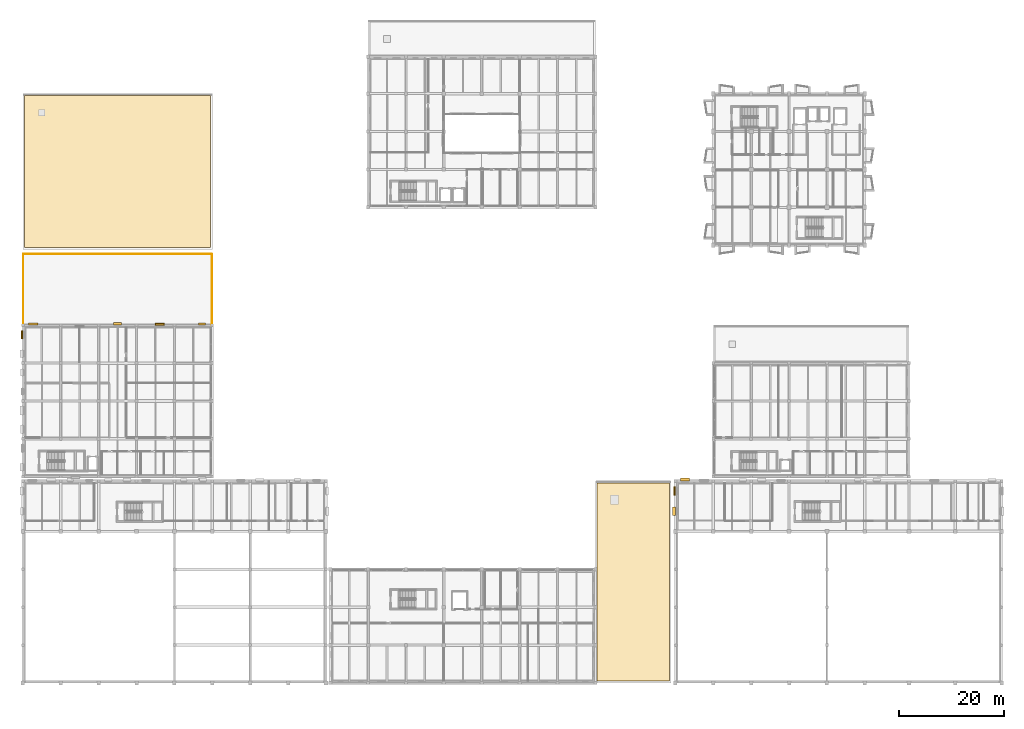
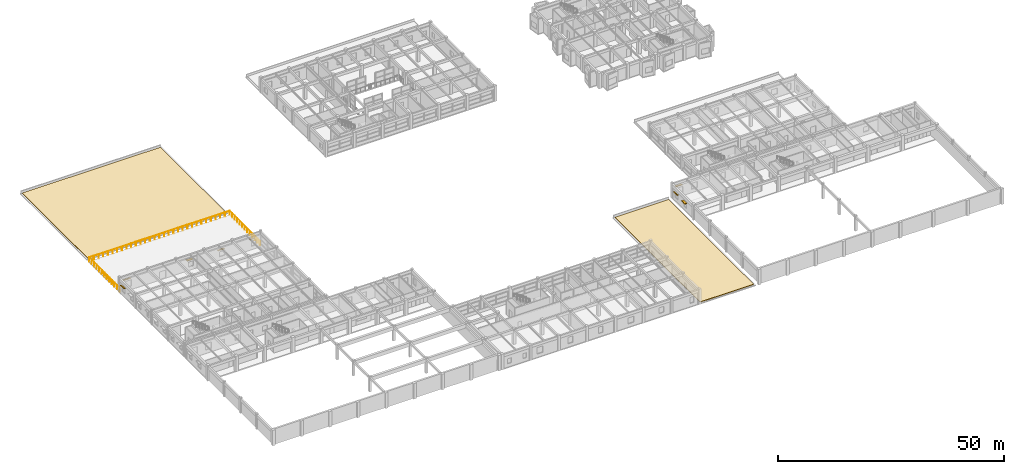
# One storey, part 62 of 67: 8 shading devices, 3 railings, 2 coverings.
"""IFC4 building model written with IfcOpenShell, lengths in metres."""

from ifc_helpers import new_model, si_unit, direction, frame, origin, origin_2d, place, context, subcontext, project, spatial, polyline, rectangle, circle, outline, extrude, material, layer, layer_set, type_object, element, save


model = new_model("IFC4")

# Units and contexts
model_context = context("Model", 3, precision=1e-05, world=origin(), true_north=direction((0.0, 1.0)))
body_context = subcontext(model_context, "Body", "Model", "MODEL_VIEW")
ifc_project = project(units=[si_unit("LENGTHUNIT", "METRE"), si_unit("AREAUNIT", "SQUARE_METRE"), si_unit("VOLUMEUNIT", "CUBIC_METRE"), si_unit("PLANEANGLEUNIT", "RADIAN"), si_unit("MASSUNIT", "GRAM", prefix="KILO")], contexts=[model_context])

# Site, building, storey
site_placement = place(None, origin())
site = spatial("IfcSite", under=ifc_project, at=site_placement, CompositionType="ELEMENT")
building_placement = place(site_placement, origin())
building = spatial("IfcBuilding", under=site, at=building_placement, Name="Bramveld Media Centre", CompositionType="ELEMENT")
storey_placement = place(building_placement, frame((0.0, 0.0, 5.39990234375)))
storey = spatial("IfcBuildingStorey", under=building, at=storey_placement, Name="L01", CompositionType="ELEMENT", Elevation=5.39990234375)

# Coverings
ifc_material_1 = material(Name="Vegetated extensive green-roof substrate and EPDM membrane")
ifc_layer = layer(ifc_material_1, 0.139892578125)
ifc_layer_set = layer_set([ifc_layer], Name="Vegetated extensive green-roof substrate and EPDM membrane")
covering_type = type_object("IfcCoveringType", Name="COV-ROOF-GREEN", PredefinedType="ROOFING", material=ifc_layer_set)
covering_1_placement = place(storey_placement, origin())
element("IfcCovering", 1, at=covering_1_placement, inside=storey, type_object=covering_type, Name="V5 L01 vegetated green roof covering", PredefinedType="ROOFING", context=body_context, shape_type="SweptSolid", body=[
    extrude(outline(polyline([(109.14990234375, 0.35009765625), (122.85009765625, 0.35009765625), (122.85009765625, 38.050048828125), (109.14990234375, 38.050048828125), (109.14990234375, 0.35009765625)])), origin(), (0.0, 0.0, 1.0), 0.14013671875),
])
covering_2_placement = place(storey_placement, origin())
element("IfcCovering", 2, at=covering_2_placement, inside=storey, type_object=covering_type, Name="V3 L01 vegetated green roof covering", PredefinedType="ROOFING", context=body_context, shape_type="SweptSolid", body=[
    extrude(outline(polyline([(0.35009765625, 82.75), (35.64990234375, 82.75), (35.64990234375, 111.64990234375), (0.35009765625, 111.64990234375), (0.35009765625, 82.75)])), origin(), (0.0, 0.0, 1.0), 0.14013671875),
])

# Railings
ifc_material_2 = material(Name="Powder-coated bronze galvanized steel balustrade", Category="steel")
railing_type = type_object("IfcRailingType", Name="RAIL-TERRACE-1150", PredefinedType="GUARDRAIL", material=ifc_material_2)
railing_1_placement = place(storey_placement, frame((0.080078125, 81.52001953125, 0.0)))
element("IfcRailing", 3, at=railing_1_placement, inside=storey, type_object=railing_type, Name="Park Colonnade Upper Loggia Deck W guardrail", PredefinedType="GUARDRAIL", context=body_context, shape_type="SweptSolid", body=[
    extrude(circle(Radius=0.02392578125, at=origin_2d()), frame((0.0, 0.0, 1.1259765625), z_axis=(0.0, -1.0, 0.0), x_axis=(1.0, 0.0, 0.0)), (0.0, 0.0, 1.0), 13.43994140625),
    extrude(circle(Radius=0.02099609375, at=origin_2d()), origin(), (0.0, 0.0, 1.0), 1.101806640625),
    extrude(circle(Radius=0.02099609375, at=origin_2d()), frame((0.0, -1.1201171875, 0.0)), (0.0, 0.0, 1.0), 1.101806640625),
    extrude(circle(Radius=0.02099609375, at=origin_2d()), frame((0.0, -2.239990234375, 0.0)), (0.0, 0.0, 1.0), 1.101806640625),
    extrude(circle(Radius=0.02099609375, at=origin_2d()), frame((0.0, -3.35986328125, 0.0)), (0.0, 0.0, 1.0), 1.101806640625),
    extrude(circle(Radius=0.02099609375, at=origin_2d()), frame((0.0, -4.47998046875, 0.0)), (0.0, 0.0, 1.0), 1.101806640625),
    extrude(circle(Radius=0.02099609375, at=origin_2d()), frame((0.0, -5.60009765625, 0.0)), (0.0, 0.0, 1.0), 1.101806640625),
    extrude(circle(Radius=0.02099609375, at=origin_2d()), frame((0.0, -6.719970703125, 0.0)), (0.0, 0.0, 1.0), 1.101806640625),
    extrude(circle(Radius=0.02099609375, at=origin_2d()), frame((0.0, -7.840087890625, 0.0)), (0.0, 0.0, 1.0), 1.101806640625),
    extrude(circle(Radius=0.02099609375, at=origin_2d()), frame((0.0, -8.9599609375, 0.0)), (0.0, 0.0, 1.0), 1.101806640625),
    extrude(circle(Radius=0.02099609375, at=origin_2d()), frame((0.0, -10.080078125, 0.0)), (0.0, 0.0, 1.0), 1.101806640625),
    extrude(circle(Radius=0.02099609375, at=origin_2d()), frame((0.0, -11.199951171875, 0.0)), (0.0, 0.0, 1.0), 1.101806640625),
    extrude(circle(Radius=0.02099609375, at=origin_2d()), frame((0.0, -12.31982421875, 0.0)), (0.0, 0.0, 1.0), 1.101806640625),
    extrude(circle(Radius=0.02099609375, at=origin_2d()), frame((0.0, -13.43994140625, 0.0)), (0.0, 0.0, 1.0), 1.101806640625),
])
railing_2_placement = place(storey_placement, frame((35.919921875, 81.52001953125, 0.0)))
element("IfcRailing", 4, at=railing_2_placement, inside=storey, type_object=railing_type, Name="Park Colonnade Upper Loggia Deck N guardrail", PredefinedType="GUARDRAIL", context=body_context, shape_type="SweptSolid", body=[
    extrude(circle(Radius=0.02392578125, at=origin_2d()), frame((0.0, 0.0, 1.1259765625), z_axis=(-1.0, 0.0, 0.0), x_axis=(0.0, -1.0, 0.0)), (0.0, 0.0, 1.0), 35.83984375),
    extrude(circle(Radius=0.02099609375, at=origin_2d()), origin(), (0.0, 0.0, 1.0), 1.101806640625),
    extrude(circle(Radius=0.02099609375, at=origin_2d()), frame((-1.194580078125, 0.0, 0.0)), (0.0, 0.0, 1.0), 1.101806640625),
    extrude(circle(Radius=0.02099609375, at=origin_2d()), frame((-2.389404296875, 0.0, 0.0)), (0.0, 0.0, 1.0), 1.101806640625),
    extrude(circle(Radius=0.02099609375, at=origin_2d()), frame((-3.583984375, 0.0, 0.0)), (0.0, 0.0, 1.0), 1.101806640625),
    extrude(circle(Radius=0.02099609375, at=origin_2d()), frame((-4.778564453125, 0.0, 0.0)), (0.0, 0.0, 1.0), 1.101806640625),
    extrude(circle(Radius=0.02099609375, at=origin_2d()), frame((-5.973388671875, 0.0, 0.0)), (0.0, 0.0, 1.0), 1.101806640625),
    extrude(circle(Radius=0.02099609375, at=origin_2d()), frame((-7.16796875, 0.0, 0.0)), (0.0, 0.0, 1.0), 1.101806640625),
    extrude(circle(Radius=0.02099609375, at=origin_2d()), frame((-8.362548828125, 0.0, 0.0)), (0.0, 0.0, 1.0), 1.101806640625),
    extrude(circle(Radius=0.02099609375, at=origin_2d()), frame((-9.557373046875, 0.0, 0.0)), (0.0, 0.0, 1.0), 1.101806640625),
    extrude(circle(Radius=0.02099609375, at=origin_2d()), frame((-10.751953125, 0.0, 0.0)), (0.0, 0.0, 1.0), 1.101806640625),
    extrude(circle(Radius=0.02099609375, at=origin_2d()), frame((-11.946533203125, 0.0, 0.0)), (0.0, 0.0, 1.0), 1.101806640625),
    extrude(circle(Radius=0.02099609375, at=origin_2d()), frame((-13.141357421875, 0.0, 0.0)), (0.0, 0.0, 1.0), 1.101806640625),
    extrude(circle(Radius=0.02099609375, at=origin_2d()), frame((-14.3359375, 0.0, 0.0)), (0.0, 0.0, 1.0), 1.101806640625),
    extrude(circle(Radius=0.02099609375, at=origin_2d()), frame((-15.530517578125, 0.0, 0.0)), (0.0, 0.0, 1.0), 1.101806640625),
    extrude(circle(Radius=0.02099609375, at=origin_2d()), frame((-16.725341796875, 0.0, 0.0)), (0.0, 0.0, 1.0), 1.101806640625),
    extrude(circle(Radius=0.02099609375, at=origin_2d()), frame((-17.919921875, 0.0, 0.0)), (0.0, 0.0, 1.0), 1.101806640625),
    extrude(circle(Radius=0.02099609375, at=origin_2d()), frame((-19.114501953125, 0.0, 0.0)), (0.0, 0.0, 1.0), 1.101806640625),
    extrude(circle(Radius=0.02099609375, at=origin_2d()), frame((-20.309326171875, 0.0, 0.0)), (0.0, 0.0, 1.0), 1.101806640625),
    extrude(circle(Radius=0.02099609375, at=origin_2d()), frame((-21.50390625, 0.0, 0.0)), (0.0, 0.0, 1.0), 1.101806640625),
    extrude(circle(Radius=0.02099609375, at=origin_2d()), frame((-22.698486328125, 0.0, 0.0)), (0.0, 0.0, 1.0), 1.101806640625),
    extrude(circle(Radius=0.02099609375, at=origin_2d()), frame((-23.893310546875, 0.0, 0.0)), (0.0, 0.0, 1.0), 1.101806640625),
    extrude(circle(Radius=0.02099609375, at=origin_2d()), frame((-25.087890625, 0.0, 0.0)), (0.0, 0.0, 1.0), 1.101806640625),
    extrude(circle(Radius=0.02099609375, at=origin_2d()), frame((-26.282470703125, 0.0, 0.0)), (0.0, 0.0, 1.0), 1.101806640625),
    extrude(circle(Radius=0.02099609375, at=origin_2d()), frame((-27.477294921875, 0.0, 0.0)), (0.0, 0.0, 1.0), 1.101806640625),
    extrude(circle(Radius=0.02099609375, at=origin_2d()), frame((-28.671875, 0.0, 0.0)), (0.0, 0.0, 1.0), 1.101806640625),
    extrude(circle(Radius=0.02099609375, at=origin_2d()), frame((-29.866455078125, 0.0, 0.0)), (0.0, 0.0, 1.0), 1.101806640625),
    extrude(circle(Radius=0.02099609375, at=origin_2d()), frame((-31.061279296875, 0.0, 0.0)), (0.0, 0.0, 1.0), 1.101806640625),
    extrude(circle(Radius=0.02099609375, at=origin_2d()), frame((-32.255859375, 0.0, 0.0)), (0.0, 0.0, 1.0), 1.101806640625),
    extrude(circle(Radius=0.02099609375, at=origin_2d()), frame((-33.450439453125, 0.0, 0.0)), (0.0, 0.0, 1.0), 1.101806640625),
    extrude(circle(Radius=0.02099609375, at=origin_2d()), frame((-34.645263671875, 0.0, 0.0)), (0.0, 0.0, 1.0), 1.101806640625),
    extrude(circle(Radius=0.02099609375, at=origin_2d()), frame((-35.83984375, 0.0, 0.0)), (0.0, 0.0, 1.0), 1.101806640625),
])
railing_3_placement = place(storey_placement, frame((35.919921875, 68.080078125, 0.0)))
element("IfcRailing", 5, at=railing_3_placement, inside=storey, type_object=railing_type, Name="Park Colonnade Upper Loggia Deck E guardrail", PredefinedType="GUARDRAIL", context=body_context, shape_type="SweptSolid", body=[
    extrude(circle(Radius=0.02392578125, at=origin_2d()), frame((0.0, 0.0, 1.1259765625), z_axis=(0.0, 1.0, 0.0), x_axis=(-1.0, 0.0, 0.0)), (0.0, 0.0, 1.0), 13.43994140625),
    extrude(circle(Radius=0.02099609375, at=origin_2d()), origin(), (0.0, 0.0, 1.0), 1.101806640625),
    extrude(circle(Radius=0.02099609375, at=origin_2d()), frame((0.0, 1.1201171875, 0.0)), (0.0, 0.0, 1.0), 1.101806640625),
    extrude(circle(Radius=0.02099609375, at=origin_2d()), frame((0.0, 2.239990234375, 0.0)), (0.0, 0.0, 1.0), 1.101806640625),
    extrude(circle(Radius=0.02099609375, at=origin_2d()), frame((0.0, 3.35986328125, 0.0)), (0.0, 0.0, 1.0), 1.101806640625),
    extrude(circle(Radius=0.02099609375, at=origin_2d()), frame((0.0, 4.47998046875, 0.0)), (0.0, 0.0, 1.0), 1.101806640625),
    extrude(circle(Radius=0.02099609375, at=origin_2d()), frame((0.0, 5.60009765625, 0.0)), (0.0, 0.0, 1.0), 1.101806640625),
    extrude(circle(Radius=0.02099609375, at=origin_2d()), frame((0.0, 6.719970703125, 0.0)), (0.0, 0.0, 1.0), 1.101806640625),
    extrude(circle(Radius=0.02099609375, at=origin_2d()), frame((0.0, 7.840087890625, 0.0)), (0.0, 0.0, 1.0), 1.101806640625),
    extrude(circle(Radius=0.02099609375, at=origin_2d()), frame((0.0, 8.9599609375, 0.0)), (0.0, 0.0, 1.0), 1.101806640625),
    extrude(circle(Radius=0.02099609375, at=origin_2d()), frame((0.0, 10.080078125, 0.0)), (0.0, 0.0, 1.0), 1.101806640625),
    extrude(circle(Radius=0.02099609375, at=origin_2d()), frame((0.0, 11.199951171875, 0.0)), (0.0, 0.0, 1.0), 1.101806640625),
    extrude(circle(Radius=0.02099609375, at=origin_2d()), frame((0.0, 12.31982421875, 0.0)), (0.0, 0.0, 1.0), 1.101806640625),
    extrude(circle(Radius=0.02099609375, at=origin_2d()), frame((0.0, 13.43994140625, 0.0)), (0.0, 0.0, 1.0), 1.101806640625),
])

# Shading devices
ifc_material_3 = material(Name="Anodized bronze extruded aluminium solar shading fin", Category="aluminium")
shading_device_type_1 = type_object("IfcShadingDeviceType", Name="SHD-BRISE-350", PredefinedType="JALOUSIE", material=ifc_material_3)
shading_device_1_placement = place(storey_placement, frame((123.824951171875, 36.47998046875, 2.360107421875), z_axis=(0.0, 0.0, 1.0), x_axis=(1.0, 0.0, 0.0)))
element("IfcShadingDevice", 6, at=shading_device_1_placement, inside=storey, type_object=shading_device_type_1, Name="Bronze solar shading fin 30", PredefinedType="JALOUSIE", context=body_context, shape_type="SweptSolid", body=[
    extrude(rectangle(XDim=0.35009765625, YDim=1.64990234375, at=origin_2d()), origin(), (0.0, 0.0, 1.0), 0.06005859375),
])
shading_device_2_placement = place(storey_placement, frame((26.0, 68.175048828125, 2.260009765625), z_axis=(0.0, 0.0, 1.0), x_axis=(1.0, 0.0, 0.0)))
element("IfcShadingDevice", 7, at=shading_device_2_placement, inside=storey, type_object=shading_device_type_1, Name="Bronze solar shading fin 114", PredefinedType="JALOUSIE", context=body_context, shape_type="SweptSolid", body=[
    extrude(rectangle(XDim=1.699951171875, YDim=0.35009765625, at=origin_2d()), origin(), (0.0, 0.0, 1.0), 0.06005859375),
])
shading_device_3_placement = place(storey_placement, frame((-0.175048828125, 66.199951171875, 2.510009765625), z_axis=(0.0, 0.0, 1.0), x_axis=(1.0, 0.0, 0.0)))
element("IfcShadingDevice", 8, at=shading_device_3_placement, inside=storey, type_object=shading_device_type_1, Name="Bronze solar shading fin 123", PredefinedType="JALOUSIE", context=body_context, shape_type="SweptSolid", body=[
    extrude(rectangle(XDim=0.35009765625, YDim=1.550048828125, at=origin_2d()), origin(), (0.0, 0.0, 1.0), 0.06005859375),
])
ifc_material_4 = material(Name="Anodized bronze extruded aluminium solar shading fin", Category="aluminium")
shading_device_type_2 = type_object("IfcShadingDeviceType", Name="SHD-BRISE-450", PredefinedType="JALOUSIE", material=ifc_material_4)
shading_device_4_placement = place(storey_placement, frame((2.0, 68.22509765625, 2.66015625), z_axis=(0.0, 0.0, 1.0), x_axis=(1.0, 0.0, 0.0)))
element("IfcShadingDevice", 9, at=shading_device_4_placement, inside=storey, type_object=shading_device_type_2, Name="Bronze solar shading fin 112", PredefinedType="JALOUSIE", context=body_context, shape_type="SweptSolid", body=[
    extrude(rectangle(XDim=1.800048828125, YDim=0.449951171875, at=origin_2d()), origin(), (0.0, 0.0, 1.0), 0.06005859375),
])
shading_device_5_placement = place(storey_placement, frame((34.0, 68.22509765625, 2.360107421875), z_axis=(0.0, 0.0, 1.0), x_axis=(1.0, 0.0, 0.0)))
element("IfcShadingDevice", 10, at=shading_device_5_placement, inside=storey, type_object=shading_device_type_2, Name="Bronze solar shading fin 115", PredefinedType="JALOUSIE", context=body_context, shape_type="SweptSolid", body=[
    extrude(rectangle(XDim=1.35009765625, YDim=0.449951171875, at=origin_2d()), origin(), (0.0, 0.0, 1.0), 0.06005859375),
])
ifc_material_5 = material(Name="Anodized bronze extruded aluminium solar shading fin", Category="aluminium")
shading_device_type_3 = type_object("IfcShadingDeviceType", Name="SHD-BRISE-550", PredefinedType="JALOUSIE", material=ifc_material_5)
shading_device_6_placement = place(storey_placement, frame((125.823486328125, 38.675048828125, 2.510009765625), z_axis=(0.0, 0.0, 1.0), x_axis=(1.0, 0.0, 0.0)))
element("IfcShadingDevice", 11, at=shading_device_6_placement, inside=storey, type_object=shading_device_type_3, Name="Bronze solar shading fin 20", PredefinedType="JALOUSIE", context=body_context, shape_type="SweptSolid", body=[
    extrude(rectangle(XDim=1.679931640625, YDim=0.550048828125, at=origin_2d()), origin(), (0.0, 0.0, 1.0), 0.06005859375),
])
shading_device_7_placement = place(storey_placement, frame((123.72509765625, 32.639892578125, 2.360107421875), z_axis=(0.0, 0.0, 1.0), x_axis=(1.0, 0.0, 0.0)))
element("IfcShadingDevice", 12, at=shading_device_7_placement, inside=storey, type_object=shading_device_type_3, Name="Bronze solar shading fin 29", PredefinedType="JALOUSIE", context=body_context, shape_type="SweptSolid", body=[
    extrude(rectangle(XDim=0.550048828125, YDim=1.550048828125, at=origin_2d()), origin(), (0.0, 0.0, 1.0), 0.06005859375),
])
shading_device_8_placement = place(storey_placement, frame((18.0, 68.27490234375, 2.260009765625), z_axis=(0.0, 0.0, 1.0), x_axis=(1.0, 0.0, 0.0)))
element("IfcShadingDevice", 13, at=shading_device_8_placement, inside=storey, type_object=shading_device_type_3, Name="Bronze solar shading fin 113", PredefinedType="JALOUSIE", context=body_context, shape_type="SweptSolid", body=[
    extrude(rectangle(XDim=1.5, YDim=0.550048828125, at=origin_2d()), origin(), (0.0, 0.0, 1.0), 0.06005859375),
])

save(model, "model.ifc")
